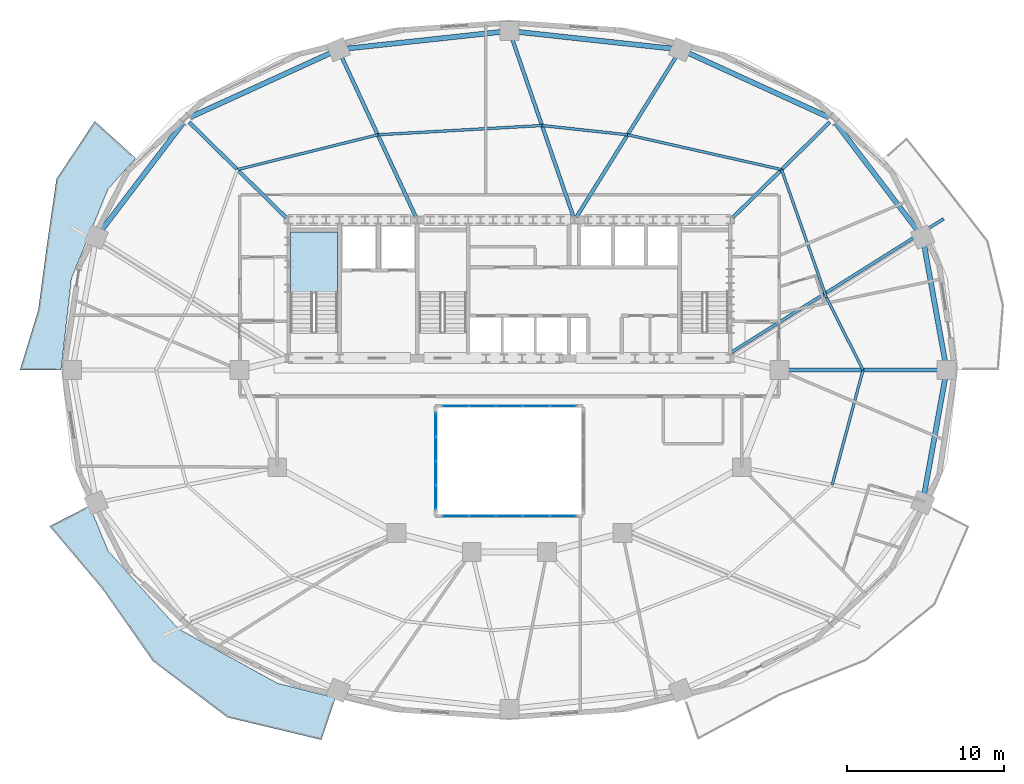
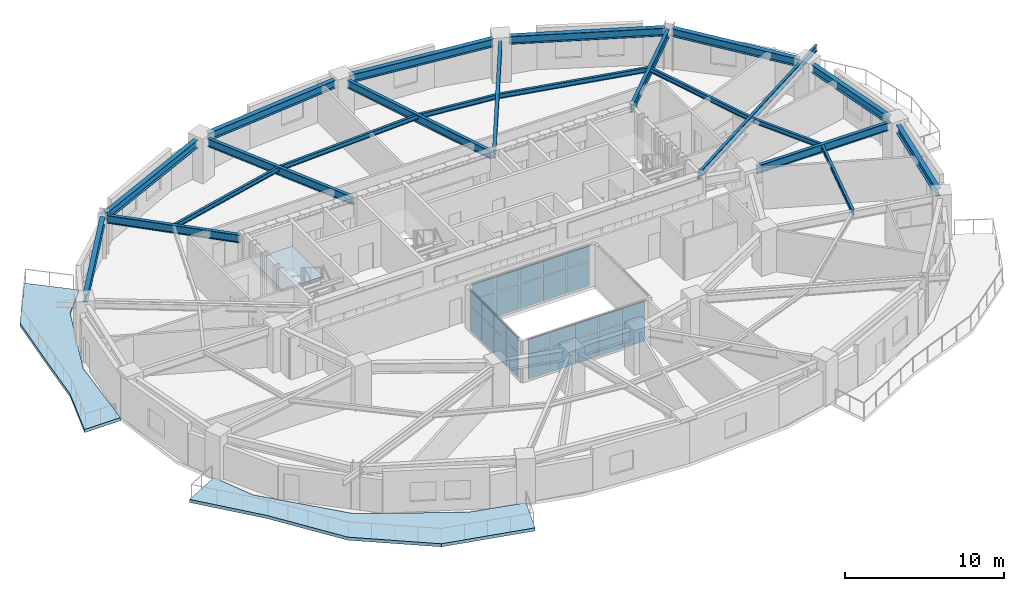
# One storey, part 5 of 12: 28 plates, 22 beams, 3 slabs, 4 elements without a shape of their own.
"""IFC4 building model written with IfcOpenShell, lengths in metres."""

from ifc_helpers import new_model, si_unit, direction, frame, origin, origin_2d, place, context, subcontext, project, spatial, polyline, rectangle, i_section, outline, extrude, material, layer, layer_set, material_profile, profile_set, type_object, element, aggregate, save


model = new_model("IFC4")

# Units and contexts
model_context = context("Model", 3, precision=1e-05, world=origin(), true_north=direction((0.0, 1.0)))
body_context = subcontext(model_context, "Body", "Model", "MODEL_VIEW")
ifc_project = project(units=[si_unit("LENGTHUNIT", "METRE"), si_unit("AREAUNIT", "SQUARE_METRE"), si_unit("VOLUMEUNIT", "CUBIC_METRE"), si_unit("PLANEANGLEUNIT", "RADIAN"), si_unit("MASSUNIT", "GRAM", prefix="KILO")], contexts=[model_context])

# Site, building, storey
site_placement = place(None, origin())
site = spatial("IfcSite", under=ifc_project, at=site_placement, CompositionType="ELEMENT")
building_placement = place(site_placement, origin())
building = spatial("IfcBuilding", under=site, at=building_placement, Name="Haldorwick Loom Tower", CompositionType="ELEMENT")
storey_placement = place(building_placement, frame((0.0, 0.0, 113.89990234375)))
storey = spatial("IfcBuildingStorey", under=building, at=storey_placement, Name="L30", CompositionType="ELEMENT", Elevation=113.89990234375)

# Beams
ifc_material_1 = material(Name="Steel CSA G40.21 350W", Category="steel")
ifc_material_profile_1 = material_profile(ifc_material_1, i_section(OverallWidth=0.193115234375, OverallDepth=0.466064453125, WebThickness=0.011474609375, FlangeThickness=0.01904296875, at=origin_2d()), Name="W460X97", Category="steel")
ifc_profile_set_1 = profile_set([ifc_material_profile_1], Name="Steel CSA G40.21 350W")
beam_type_1 = type_object("IfcBeamType", Name="STR-BM-BAL460", PredefinedType="BEAM", material=ifc_profile_set_1)
beam_1_placement = place(storey_placement, frame((50.111572265625, 27.106689453125, 2.97705078125), z_axis=(0.846609845451, 0.532214026108, 0.0), x_axis=(-0.532214026108, 0.846609845451, 0.0)))
element("IfcBeam", 1, at=beam_1_placement, inside=storey, type_object=beam_type_1, Name="L30 Continuous Back-Spanned Balcony Beam 4", PredefinedType="BEAM", context=body_context, shape_type="SweptSolid", body=[
    extrude(i_section(OverallWidth=0.193115234375, OverallDepth=0.466064453125, WebThickness=0.011474609375, FlangeThickness=0.01904296875, at=origin_2d()), origin(), (0.0, 0.0, 1.0), 16.0068359375),
])
ifc_material_profile_2 = material_profile(ifc_material_1, i_section(OverallWidth=0.172119140625, OverallDepth=0.35791015625, WebThickness=0.0078125, FlangeThickness=0.01318359375, at=origin_2d()), Name="W360X57", Category="steel")
ifc_profile_set_2 = profile_set([ifc_material_profile_2], Name="Steel CSA G40.21 350W")
beam_type_2 = type_object("IfcBeamType", Name="STR-BM-J360", PredefinedType="JOIST", material=ifc_profile_set_2)
beam_2_placement = place(storey_placement, frame((58.52880859375, 26.0, 3.031005859375), z_axis=(-0.451373231558, 0.892335254169, 0.0), x_axis=(-0.892335254169, -0.451373231558, 0.0)))
element("IfcBeam", 2, at=beam_2_placement, inside=storey, type_object=beam_type_2, Name="L30 Mid-Bay Secondary Joist 1", PredefinedType="JOIST", context=body_context, shape_type="SweptSolid", body=[
    extrude(i_section(OverallWidth=0.172119140625, OverallDepth=0.35791015625, WebThickness=0.0078125, FlangeThickness=0.01318359375, at=origin_2d()), origin(), (0.0, 0.0, 1.0), 5.158935546875),
])
beam_3_placement = place(storey_placement, frame((56.2001953125, 30.603515625, 3.031005859375), z_axis=(-0.330864603503, 0.943678236556, 0.0), x_axis=(-0.943678236556, -0.330864603503, 0.0)))
element("IfcBeam", 3, at=beam_3_placement, inside=storey, type_object=beam_type_2, Name="L30 Mid-Bay Secondary Joist 2", PredefinedType="JOIST", context=body_context, shape_type="SweptSolid", body=[
    extrude(i_section(OverallWidth=0.172119140625, OverallDepth=0.35791015625, WebThickness=0.0078125, FlangeThickness=0.01318359375, at=origin_2d()), origin(), (0.0, 0.0, 1.0), 8.6494140625),
])
beam_4_placement = place(storey_placement, frame((53.33837890625, 38.765869140625, 3.031005859375), z_axis=(-0.975380231772, 0.22052982444, 0.0), x_axis=(-0.22052982444, -0.975380231772, 0.0)))
element("IfcBeam", 4, at=beam_4_placement, inside=storey, type_object=beam_type_2, Name="L30 Mid-Bay Secondary Joist 3", PredefinedType="JOIST", context=body_context, shape_type="SweptSolid", body=[
    extrude(i_section(OverallWidth=0.172119140625, OverallDepth=0.35791015625, WebThickness=0.0078125, FlangeThickness=0.01318359375, at=origin_2d()), origin(), (0.0, 0.0, 1.0), 10.0576171875),
])
beam_5_placement = place(storey_placement, frame((43.5283203125, 40.98388671875, 3.031005859375), z_axis=(-0.994191869342, 0.107622148904, 0.0), x_axis=(-0.107622148904, -0.994191869342, 0.0)))
element("IfcBeam", 5, at=beam_5_placement, inside=storey, type_object=beam_type_2, Name="L30 Mid-Bay Secondary Joist 4", PredefinedType="JOIST", context=body_context, shape_type="SweptSolid", body=[
    extrude(i_section(OverallWidth=0.172119140625, OverallDepth=0.35791015625, WebThickness=0.0078125, FlangeThickness=0.01318359375, at=origin_2d()), origin(), (0.0, 0.0, 1.0), 5.485107421875),
])
beam_6_placement = place(storey_placement, frame((38.074951171875, 41.57421875, 3.031005859375), z_axis=(-0.998412171013, -0.056330602457, 0.0), x_axis=(0.056330602457, -0.998412171013, 0.0)))
element("IfcBeam", 6, at=beam_6_placement, inside=storey, type_object=beam_type_2, Name="L30 Mid-Bay Secondary Joist 5", PredefinedType="JOIST", context=body_context, shape_type="SweptSolid", body=[
    extrude(i_section(OverallWidth=0.172119140625, OverallDepth=0.35791015625, WebThickness=0.0078125, FlangeThickness=0.01318359375, at=origin_2d()), origin(), (0.0, 0.0, 1.0), 10.479736328125),
])
beam_7_placement = place(storey_placement, frame((27.61181640625, 40.98388671875, 3.031005859375), z_axis=(-0.970638838364, -0.240541567009, 0.0), x_axis=(0.240541567009, -0.970638838364, 0.0)))
element("IfcBeam", 7, at=beam_7_placement, inside=storey, type_object=beam_type_2, Name="L30 Mid-Bay Secondary Joist 6", PredefinedType="JOIST", context=body_context, shape_type="SweptSolid", body=[
    extrude(i_section(OverallWidth=0.172119140625, OverallDepth=0.35791015625, WebThickness=0.0078125, FlangeThickness=0.01318359375, at=origin_2d()), origin(), (0.0, 0.0, 1.0), 9.220947265625),
])
beam_8_placement = place(storey_placement, frame((56.565185546875, 18.67138671875, 3.031005859375), z_axis=(0.258810072536, 0.965928230436, 0.0), x_axis=(-0.965928230436, 0.258810072536, 0.0)))
element("IfcBeam", 8, at=beam_8_placement, inside=storey, type_object=beam_type_2, Name="L30 Mid-Bay Secondary Joist 16", PredefinedType="JOIST", context=body_context, shape_type="SweptSolid", body=[
    extrude(i_section(OverallWidth=0.172119140625, OverallDepth=0.35791015625, WebThickness=0.0078125, FlangeThickness=0.01318359375, at=origin_2d()), origin(), (0.0, 0.0, 1.0), 7.587158203125),
])
ifc_material_profile_3 = material_profile(ifc_material_1, i_section(OverallWidth=0.324951171875, OverallDepth=0.615966796875, WebThickness=0.013916015625, FlangeThickness=0.021484375, at=origin_2d()), Name="W610X174", Category="steel")
ifc_profile_set_3 = profile_set([ifc_material_profile_3], Name="Steel CSA G40.21 350W")
beam_type_3 = type_object("IfcBeamType", Name="STR-BM-SP610", PredefinedType="SPANDREL", material=ifc_profile_set_3)
beam_9_placement = place(storey_placement, frame((63.76513671875, 26.51171875, 2.902099609375), z_axis=(-0.177659490888, 0.984092020747, 0.0), x_axis=(-0.984092020747, -0.177659490888, 0.0)))
element("IfcBeam", 9, at=beam_9_placement, inside=storey, type_object=beam_type_3, Name="L30 Perimeter Spandrel 1", PredefinedType="SPANDREL", context=body_context, shape_type="SweptSolid", body=[
    extrude(i_section(OverallWidth=0.324951171875, OverallDepth=0.615966796875, WebThickness=0.013916015625, FlangeThickness=0.021484375, at=origin_2d()), origin(), (0.0, 0.0, 1.0), 7.553955078125),
])
beam_10_placement = place(storey_placement, frame((62.015869140625, 34.87109375, 2.902099609375), z_axis=(-0.605453508047, 0.795880675475, 0.0), x_axis=(-0.795880675475, -0.605453508047, 0.0)))
element("IfcBeam", 10, at=beam_10_placement, inside=storey, type_object=beam_type_3, Name="L30 Perimeter Spandrel 2", PredefinedType="SPANDREL", context=body_context, shape_type="SweptSolid", body=[
    extrude(i_section(OverallWidth=0.324951171875, OverallDepth=0.615966796875, WebThickness=0.013916015625, FlangeThickness=0.021484375, at=origin_2d()), origin(), (0.0, 0.0, 1.0), 8.6591796875),
])
beam_11_placement = place(storey_placement, frame((56.356689453125, 42.09619140625, 2.902099609375), z_axis=(-0.909423969306, 0.415870225011, 0.0), x_axis=(-0.415870225011, -0.909423969306, 0.0)))
element("IfcBeam", 11, at=beam_11_placement, inside=storey, type_object=beam_type_3, Name="L30 Perimeter Spandrel 3", PredefinedType="SPANDREL", context=body_context, shape_type="SweptSolid", body=[
    extrude(i_section(OverallWidth=0.324951171875, OverallDepth=0.615966796875, WebThickness=0.013916015625, FlangeThickness=0.021484375, at=origin_2d()), origin(), (0.0, 0.0, 1.0), 9.871337890625),
])
for number, where, z_axis, x_axis, name in (
    (12, (46.389404296875, 46.4736328125, 2.902099609375), (-0.994190135627, 0.107638163409, 0.0), (-0.107638163409, -0.994190135627, 0.0), "L30 Perimeter Spandrel 4"),
    (13, (35.48291015625, 47.54248046875, 2.902099609375), (-0.994190135627, -0.107638163409, 0.0), (0.107638163409, -0.994190135627, 0.0), "L30 Perimeter Spandrel 5"),
):
    element("IfcBeam", number, at=place(storey_placement, frame(where, z_axis=z_axis, x_axis=x_axis)), inside=storey, type_object=beam_type_3, Name=name, PredefinedType="SPANDREL", context=body_context, shape_type="SweptSolid", body=[
        extrude(i_section(OverallWidth=0.324951171875, OverallDepth=0.615966796875, WebThickness=0.013916015625, FlangeThickness=0.021484375, at=origin_2d()), origin(), (0.0, 0.0, 1.0), 9.929931640625),
    ])
beam_12_placement = place(storey_placement, frame((24.62060546875, 46.201416015625, 2.902099609375), z_axis=(-0.909423969306, -0.415870225011, 0.0), x_axis=(0.415870225011, -0.909423969306, 0.0)))
element("IfcBeam", 14, at=beam_12_placement, inside=storey, type_object=beam_type_3, Name="L30 Perimeter Spandrel 6", PredefinedType="SPANDREL", context=body_context, shape_type="SweptSolid", body=[
    extrude(i_section(OverallWidth=0.324951171875, OverallDepth=0.615966796875, WebThickness=0.013916015625, FlangeThickness=0.021484375, at=origin_2d()), origin(), (0.0, 0.0, 1.0), 9.871337890625),
])
beam_13_placement = place(storey_placement, frame((15.226806640625, 41.7626953125, 2.902099609375), z_axis=(-0.605453508047, -0.795880675475, 0.0), x_axis=(0.795880675475, -0.605453508047, 0.0)))
element("IfcBeam", 15, at=beam_13_placement, inside=storey, type_object=beam_type_3, Name="L30 Perimeter Spandrel 7", PredefinedType="SPANDREL", context=body_context, shape_type="SweptSolid", body=[
    extrude(i_section(OverallWidth=0.324951171875, OverallDepth=0.615966796875, WebThickness=0.013916015625, FlangeThickness=0.021484375, at=origin_2d()), origin(), (0.0, 0.0, 1.0), 8.6591796875),
])
beam_14_placement = place(storey_placement, frame((62.423095703125, 18.054443359375, 2.902099609375), z_axis=(0.177659490888, 0.984092020747, 0.0), x_axis=(-0.984092020747, 0.177659490888, 0.0)))
element("IfcBeam", 16, at=beam_14_placement, inside=storey, type_object=beam_type_3, Name="L30 Perimeter Spandrel 16", PredefinedType="SPANDREL", context=body_context, shape_type="SweptSolid", body=[
    extrude(i_section(OverallWidth=0.324951171875, OverallDepth=0.615966796875, WebThickness=0.013916015625, FlangeThickness=0.021484375, at=origin_2d()), origin(), (0.0, 0.0, 1.0), 7.553955078125),
])
ifc_material_profile_4 = material_profile(ifc_material_1, i_section(OverallWidth=0.22998046875, OverallDepth=0.616943359375, WebThickness=0.01318359375, FlangeThickness=0.022216796875, at=origin_2d()), Name="W610X140", Category="steel")
ifc_profile_set_4 = profile_set([ifc_material_profile_4], Name="Steel CSA G40.21 350W")
beam_type_4 = type_object("IfcBeamType", Name="STR-BM-W610B", PredefinedType="BEAM", material=ifc_profile_set_4)
beam_15_placement = place(storey_placement, frame((53.719970703125, 26.0, 2.901611328125), z_axis=(1.0, 0.0, 0.0), x_axis=(0.0, 1.0, 0.0)))
element("IfcBeam", 17, at=beam_15_placement, inside=storey, type_object=beam_type_4, Name="L30 Radial Floor Girder 1", PredefinedType="BEAM", context=body_context, shape_type="SweptSolid", body=[
    extrude(i_section(OverallWidth=0.22998046875, OverallDepth=0.616943359375, WebThickness=0.01318359375, FlangeThickness=0.022216796875, at=origin_2d()), origin(), (0.0, 0.0, 1.0), 9.61767578125),
])
beam_16_placement = place(storey_placement, frame((50.23046875, 35.707763671875, 2.901611328125), z_axis=(0.712813667541, 0.701353459653, 0.0), x_axis=(-0.701353459653, 0.712813667541, 0.0)))
element("IfcBeam", 18, at=beam_16_placement, inside=storey, type_object=beam_type_4, Name="L30 Radial Floor Girder 3", PredefinedType="BEAM", context=body_context, shape_type="SweptSolid", body=[
    extrude(i_section(OverallWidth=0.22998046875, OverallDepth=0.616943359375, WebThickness=0.01318359375, FlangeThickness=0.022216796875, at=origin_2d()), origin(), (0.0, 0.0, 1.0), 8.67041015625),
])
beam_17_placement = place(storey_placement, frame((40.268798828125, 35.7412109375, 2.901611328125), z_axis=(0.527983484361, 0.849254638046, 0.0), x_axis=(-0.849254638046, 0.527983484361, 0.0)))
element("IfcBeam", 19, at=beam_17_placement, inside=storey, type_object=beam_type_4, Name="L30 Radial Floor Girder 4", PredefinedType="BEAM", context=body_context, shape_type="SweptSolid", body=[
    extrude(i_section(OverallWidth=0.22998046875, OverallDepth=0.616943359375, WebThickness=0.01318359375, FlangeThickness=0.022216796875, at=origin_2d()), origin(), (0.0, 0.0, 1.0), 12.051513671875),
])
beam_18_placement = place(storey_placement, frame((40.07666015625, 35.7626953125, 2.901611328125), z_axis=(-0.325673980289, 0.945482130218, 0.0), x_axis=(-0.945482130218, -0.325673980289, 0.0)))
element("IfcBeam", 20, at=beam_18_placement, inside=storey, type_object=beam_type_4, Name="L30 Radial Floor Girder 5", PredefinedType="BEAM", context=body_context, shape_type="SweptSolid", body=[
    extrude(i_section(OverallWidth=0.22998046875, OverallDepth=0.616943359375, WebThickness=0.01318359375, FlangeThickness=0.022216796875, at=origin_2d()), origin(), (0.0, 0.0, 1.0), 11.998046875),
])
beam_19_placement = place(storey_placement, frame((30.035400390625, 35.754150390625, 2.901611328125), z_axis=(-0.420492432459, 0.907296045536, 0.0), x_axis=(-0.907296045536, -0.420492432459, 0.0)))
element("IfcBeam", 21, at=beam_19_placement, inside=storey, type_object=beam_type_4, Name="L30 Radial Floor Girder 6", PredefinedType="BEAM", context=body_context, shape_type="SweptSolid", body=[
    extrude(i_section(OverallWidth=0.22998046875, OverallDepth=0.616943359375, WebThickness=0.01318359375, FlangeThickness=0.022216796875, at=origin_2d()), origin(), (0.0, 0.0, 1.0), 11.23291015625),
])
beam_20_placement = place(storey_placement, frame((21.76953125, 35.707763671875, 2.901611328125), z_axis=(-0.712813667541, 0.701353459653, 0.0), x_axis=(-0.701353459653, -0.712813667541, 0.0)))
element("IfcBeam", 22, at=beam_20_placement, inside=storey, type_object=beam_type_4, Name="L30 Radial Floor Girder 7", PredefinedType="BEAM", context=body_context, shape_type="SweptSolid", body=[
    extrude(i_section(OverallWidth=0.22998046875, OverallDepth=0.616943359375, WebThickness=0.01318359375, FlangeThickness=0.022216796875, at=origin_2d()), origin(), (0.0, 0.0, 1.0), 8.67041015625),
])

# Curtain wall, plates
ifc_material_2 = material(Name="Thermally Broken Anodized Aluminium Curtain Wall Framing", Category="aluminium")
curtain_wall_type = type_object("IfcCurtainWallType", Name="ARC-CW-03", PredefinedType="NOTDEFINED", material=ifc_material_2)
curtain_wall_1_placement = place(storey_placement, origin())
curtain_wall_1 = element("IfcCurtainWall", 23, at=curtain_wall_1_placement, inside=storey, type_object=curtain_wall_type, Name="L30 Atrium Glazed Screen S", PredefinedType="NOTDEFINED")
ifc_material_3 = material(Name="Triple-Glazed Low-E Argon Insulated Glazing Unit", Category="glass")
ifc_layer_1 = layer(ifc_material_3, 0.04296875, Name="Triple-Glazed Low-E Argon Insulated Glazing Unit", Category="glass")
ifc_layer_set_1 = layer_set([ifc_layer_1], Name="Triple-Glazed Low-E Argon Insulated Glazing Unit")
plate_type = type_object("IfcPlateType", Name="ARC-CWP-03", PredefinedType="CURTAIN_PANEL", material=ifc_layer_set_1)
plate_1_placement = place(storey_placement, frame((39.423583984375, 16.699951171875, 0.066162109375), z_axis=(0.0, 0.0, 1.0), x_axis=(-1.0, 0.0, 0.0)))
plate_1 = element("IfcPlate", 24, at=plate_1_placement, type_object=plate_type, Name="CW-03 panel 1.1", PredefinedType="CURTAIN_PANEL", context=body_context, shape_type="SweptSolid", body=[
    extrude(rectangle(XDim=1.62109375, YDim=0.04296875, at=origin_2d()), origin(), (0.0, 0.0, 1.0), 1.90087890625),
])
plate_2_placement = place(storey_placement, frame((39.423583984375, 16.699951171875, 2.033203125), z_axis=(0.0, 0.0, 1.0), x_axis=(-1.0, 0.0, 0.0)))
plate_2 = element("IfcPlate", 25, at=plate_2_placement, type_object=plate_type, Name="CW-03 panel 1.2", PredefinedType="CURTAIN_PANEL", context=body_context, shape_type="SweptSolid", body=[
    extrude(rectangle(XDim=1.62109375, YDim=0.04296875, at=origin_2d()), origin(), (0.0, 0.0, 1.0), 1.111083984375),
])
plate_3_placement = place(storey_placement, frame((37.719970703125, 16.699951171875, 0.066162109375), z_axis=(0.0, 0.0, 1.0), x_axis=(-1.0, 0.0, 0.0)))
plate_3 = element("IfcPlate", 26, at=plate_3_placement, type_object=plate_type, Name="CW-03 panel 2.1", PredefinedType="CURTAIN_PANEL", context=body_context, shape_type="SweptSolid", body=[
    extrude(rectangle(XDim=1.654052734375, YDim=0.04296875, at=origin_2d()), origin(), (0.0, 0.0, 1.0), 1.90087890625),
])
plate_4_placement = place(storey_placement, frame((37.719970703125, 16.699951171875, 2.033203125), z_axis=(0.0, 0.0, 1.0), x_axis=(-1.0, 0.0, 0.0)))
plate_4 = element("IfcPlate", 27, at=plate_4_placement, type_object=plate_type, Name="CW-03 panel 2.2", PredefinedType="CURTAIN_PANEL", context=body_context, shape_type="SweptSolid", body=[
    extrude(rectangle(XDim=1.654052734375, YDim=0.04296875, at=origin_2d()), origin(), (0.0, 0.0, 1.0), 1.111083984375),
])
plate_5_placement = place(storey_placement, frame((36.0, 16.699951171875, 0.066162109375), z_axis=(0.0, 0.0, 1.0), x_axis=(-1.0, 0.0, 0.0)))
plate_5 = element("IfcPlate", 28, at=plate_5_placement, type_object=plate_type, Name="CW-03 panel 3.1", PredefinedType="CURTAIN_PANEL", context=body_context, shape_type="SweptSolid", body=[
    extrude(rectangle(XDim=1.654052734375, YDim=0.04296875, at=origin_2d()), origin(), (0.0, 0.0, 1.0), 1.90087890625),
])
plate_6_placement = place(storey_placement, frame((36.0, 16.699951171875, 2.033203125), z_axis=(0.0, 0.0, 1.0), x_axis=(-1.0, 0.0, 0.0)))
plate_6 = element("IfcPlate", 29, at=plate_6_placement, type_object=plate_type, Name="CW-03 panel 3.2", PredefinedType="CURTAIN_PANEL", context=body_context, shape_type="SweptSolid", body=[
    extrude(rectangle(XDim=1.654052734375, YDim=0.04296875, at=origin_2d()), origin(), (0.0, 0.0, 1.0), 1.111083984375),
])
plate_7_placement = place(storey_placement, frame((34.280029296875, 16.699951171875, 0.066162109375), z_axis=(0.0, 0.0, 1.0), x_axis=(-1.0, 0.0, 0.0)))
plate_7 = element("IfcPlate", 30, at=plate_7_placement, type_object=plate_type, Name="CW-03 panel 4.1", PredefinedType="CURTAIN_PANEL", context=body_context, shape_type="SweptSolid", body=[
    extrude(rectangle(XDim=1.654052734375, YDim=0.04296875, at=origin_2d()), origin(), (0.0, 0.0, 1.0), 1.90087890625),
])
plate_8_placement = place(storey_placement, frame((34.280029296875, 16.699951171875, 2.033203125), z_axis=(0.0, 0.0, 1.0), x_axis=(-1.0, 0.0, 0.0)))
plate_8 = element("IfcPlate", 31, at=plate_8_placement, type_object=plate_type, Name="CW-03 panel 4.2", PredefinedType="CURTAIN_PANEL", context=body_context, shape_type="SweptSolid", body=[
    extrude(rectangle(XDim=1.654052734375, YDim=0.04296875, at=origin_2d()), origin(), (0.0, 0.0, 1.0), 1.111083984375),
])
plate_9_placement = place(storey_placement, frame((32.576416015625, 16.699951171875, 0.066162109375), z_axis=(0.0, 0.0, 1.0), x_axis=(-1.0, 0.0, 0.0)))
plate_9 = element("IfcPlate", 32, at=plate_9_placement, type_object=plate_type, Name="CW-03 panel 5.1", PredefinedType="CURTAIN_PANEL", context=body_context, shape_type="SweptSolid", body=[
    extrude(rectangle(XDim=1.62109375, YDim=0.04296875, at=origin_2d()), origin(), (0.0, 0.0, 1.0), 1.90087890625),
])
plate_10_placement = place(storey_placement, frame((32.576416015625, 16.699951171875, 2.033203125), z_axis=(0.0, 0.0, 1.0), x_axis=(-1.0, 0.0, 0.0)))
plate_10 = element("IfcPlate", 33, at=plate_10_placement, type_object=plate_type, Name="CW-03 panel 5.2", PredefinedType="CURTAIN_PANEL", context=body_context, shape_type="SweptSolid", body=[
    extrude(rectangle(XDim=1.62109375, YDim=0.04296875, at=origin_2d()), origin(), (0.0, 0.0, 1.0), 1.111083984375),
])
aggregate(curtain_wall_1, [plate_1, plate_2, plate_3, plate_4, plate_5, plate_6, plate_7, plate_8, plate_9, plate_10])

curtain_wall_2_placement = place(storey_placement, origin())
curtain_wall_2 = element("IfcCurtainWall", 34, at=curtain_wall_2_placement, inside=storey, type_object=curtain_wall_type, Name="L30 Atrium Glazed Screen N", PredefinedType="NOTDEFINED")
plate_11_placement = place(storey_placement, frame((32.576416015625, 23.699951171875, 0.066162109375), z_axis=(0.0, 0.0, 1.0), x_axis=(1.0, 0.0, 0.0)))
plate_11 = element("IfcPlate", 35, at=plate_11_placement, type_object=plate_type, Name="CW-03 panel 1.1", PredefinedType="CURTAIN_PANEL", context=body_context, shape_type="SweptSolid", body=[
    extrude(rectangle(XDim=1.62109375, YDim=0.04296875, at=origin_2d()), origin(), (0.0, 0.0, 1.0), 1.90087890625),
])
plate_12_placement = place(storey_placement, frame((32.576416015625, 23.699951171875, 2.033203125), z_axis=(0.0, 0.0, 1.0), x_axis=(1.0, 0.0, 0.0)))
plate_12 = element("IfcPlate", 36, at=plate_12_placement, type_object=plate_type, Name="CW-03 panel 1.2", PredefinedType="CURTAIN_PANEL", context=body_context, shape_type="SweptSolid", body=[
    extrude(rectangle(XDim=1.62109375, YDim=0.04296875, at=origin_2d()), origin(), (0.0, 0.0, 1.0), 1.111083984375),
])
plate_13_placement = place(storey_placement, frame((34.280029296875, 23.699951171875, 0.066162109375), z_axis=(0.0, 0.0, 1.0), x_axis=(1.0, 0.0, 0.0)))
plate_13 = element("IfcPlate", 37, at=plate_13_placement, type_object=plate_type, Name="CW-03 panel 2.1", PredefinedType="CURTAIN_PANEL", context=body_context, shape_type="SweptSolid", body=[
    extrude(rectangle(XDim=1.654052734375, YDim=0.04296875, at=origin_2d()), origin(), (0.0, 0.0, 1.0), 1.90087890625),
])
plate_14_placement = place(storey_placement, frame((34.280029296875, 23.699951171875, 2.033203125), z_axis=(0.0, 0.0, 1.0), x_axis=(1.0, 0.0, 0.0)))
plate_14 = element("IfcPlate", 38, at=plate_14_placement, type_object=plate_type, Name="CW-03 panel 2.2", PredefinedType="CURTAIN_PANEL", context=body_context, shape_type="SweptSolid", body=[
    extrude(rectangle(XDim=1.654052734375, YDim=0.04296875, at=origin_2d()), origin(), (0.0, 0.0, 1.0), 1.111083984375),
])
plate_15_placement = place(storey_placement, frame((36.0, 23.699951171875, 0.066162109375), z_axis=(0.0, 0.0, 1.0), x_axis=(1.0, 0.0, 0.0)))
plate_15 = element("IfcPlate", 39, at=plate_15_placement, type_object=plate_type, Name="CW-03 panel 3.1", PredefinedType="CURTAIN_PANEL", context=body_context, shape_type="SweptSolid", body=[
    extrude(rectangle(XDim=1.654052734375, YDim=0.04296875, at=origin_2d()), origin(), (0.0, 0.0, 1.0), 1.90087890625),
])
plate_16_placement = place(storey_placement, frame((36.0, 23.699951171875, 2.033203125), z_axis=(0.0, 0.0, 1.0), x_axis=(1.0, 0.0, 0.0)))
plate_16 = element("IfcPlate", 40, at=plate_16_placement, type_object=plate_type, Name="CW-03 panel 3.2", PredefinedType="CURTAIN_PANEL", context=body_context, shape_type="SweptSolid", body=[
    extrude(rectangle(XDim=1.654052734375, YDim=0.04296875, at=origin_2d()), origin(), (0.0, 0.0, 1.0), 1.111083984375),
])
plate_17_placement = place(storey_placement, frame((37.719970703125, 23.699951171875, 0.066162109375), z_axis=(0.0, 0.0, 1.0), x_axis=(1.0, 0.0, 0.0)))
plate_17 = element("IfcPlate", 41, at=plate_17_placement, type_object=plate_type, Name="CW-03 panel 4.1", PredefinedType="CURTAIN_PANEL", context=body_context, shape_type="SweptSolid", body=[
    extrude(rectangle(XDim=1.654052734375, YDim=0.04296875, at=origin_2d()), origin(), (0.0, 0.0, 1.0), 1.90087890625),
])
plate_18_placement = place(storey_placement, frame((37.719970703125, 23.699951171875, 2.033203125), z_axis=(0.0, 0.0, 1.0), x_axis=(1.0, 0.0, 0.0)))
plate_18 = element("IfcPlate", 42, at=plate_18_placement, type_object=plate_type, Name="CW-03 panel 4.2", PredefinedType="CURTAIN_PANEL", context=body_context, shape_type="SweptSolid", body=[
    extrude(rectangle(XDim=1.654052734375, YDim=0.04296875, at=origin_2d()), origin(), (0.0, 0.0, 1.0), 1.111083984375),
])
plate_19_placement = place(storey_placement, frame((39.423583984375, 23.699951171875, 0.066162109375), z_axis=(0.0, 0.0, 1.0), x_axis=(1.0, 0.0, 0.0)))
plate_19 = element("IfcPlate", 43, at=plate_19_placement, type_object=plate_type, Name="CW-03 panel 5.1", PredefinedType="CURTAIN_PANEL", context=body_context, shape_type="SweptSolid", body=[
    extrude(rectangle(XDim=1.62109375, YDim=0.04296875, at=origin_2d()), origin(), (0.0, 0.0, 1.0), 1.90087890625),
])
plate_20_placement = place(storey_placement, frame((39.423583984375, 23.699951171875, 2.033203125), z_axis=(0.0, 0.0, 1.0), x_axis=(1.0, 0.0, 0.0)))
plate_20 = element("IfcPlate", 44, at=plate_20_placement, type_object=plate_type, Name="CW-03 panel 5.2", PredefinedType="CURTAIN_PANEL", context=body_context, shape_type="SweptSolid", body=[
    extrude(rectangle(XDim=1.62109375, YDim=0.04296875, at=origin_2d()), origin(), (0.0, 0.0, 1.0), 1.111083984375),
])
aggregate(curtain_wall_2, [plate_11, plate_12, plate_13, plate_14, plate_15, plate_16, plate_17, plate_18, plate_19, plate_20])

curtain_wall_3_placement = place(storey_placement, origin())
curtain_wall_3 = element("IfcCurtainWall", 45, at=curtain_wall_3_placement, inside=storey, type_object=curtain_wall_type, Name="L30 Atrium Glazed Screen W", PredefinedType="NOTDEFINED")
plate_21_placement = place(storey_placement, frame((31.300048828125, 17.8916015625, 0.066162109375), z_axis=(0.0, 0.0, 1.0), x_axis=(0.0, 1.0, 0.0)))
plate_21 = element("IfcPlate", 46, at=plate_21_placement, type_object=plate_type, Name="CW-03 panel 1.1", PredefinedType="CURTAIN_PANEL", context=body_context, shape_type="SweptSolid", body=[
    extrude(rectangle(XDim=1.450927734375, YDim=0.04296875, at=origin_2d()), origin(), (0.0, 0.0, 1.0), 1.90087890625),
])
plate_22_placement = place(storey_placement, frame((31.300048828125, 17.8916015625, 2.033203125), z_axis=(0.0, 0.0, 1.0), x_axis=(0.0, 1.0, 0.0)))
plate_22 = element("IfcPlate", 47, at=plate_22_placement, type_object=plate_type, Name="CW-03 panel 1.2", PredefinedType="CURTAIN_PANEL", context=body_context, shape_type="SweptSolid", body=[
    extrude(rectangle(XDim=1.450927734375, YDim=0.04296875, at=origin_2d()), origin(), (0.0, 0.0, 1.0), 1.111083984375),
])
plate_23_placement = place(storey_placement, frame((31.300048828125, 19.425048828125, 0.066162109375), z_axis=(0.0, 0.0, 1.0), x_axis=(0.0, 1.0, 0.0)))
plate_23 = element("IfcPlate", 48, at=plate_23_placement, type_object=plate_type, Name="CW-03 panel 2.1", PredefinedType="CURTAIN_PANEL", context=body_context, shape_type="SweptSolid", body=[
    extrude(rectangle(XDim=1.48388671875, YDim=0.04296875, at=origin_2d()), origin(), (0.0, 0.0, 1.0), 1.90087890625),
])
plate_24_placement = place(storey_placement, frame((31.300048828125, 19.425048828125, 2.033203125), z_axis=(0.0, 0.0, 1.0), x_axis=(0.0, 1.0, 0.0)))
plate_24 = element("IfcPlate", 49, at=plate_24_placement, type_object=plate_type, Name="CW-03 panel 2.2", PredefinedType="CURTAIN_PANEL", context=body_context, shape_type="SweptSolid", body=[
    extrude(rectangle(XDim=1.48388671875, YDim=0.04296875, at=origin_2d()), origin(), (0.0, 0.0, 1.0), 1.111083984375),
])
plate_25_placement = place(storey_placement, frame((31.300048828125, 20.97509765625, 0.066162109375), z_axis=(0.0, 0.0, 1.0), x_axis=(0.0, 1.0, 0.0)))
plate_25 = element("IfcPlate", 50, at=plate_25_placement, type_object=plate_type, Name="CW-03 panel 3.1", PredefinedType="CURTAIN_PANEL", context=body_context, shape_type="SweptSolid", body=[
    extrude(rectangle(XDim=1.48388671875, YDim=0.04296875, at=origin_2d()), origin(), (0.0, 0.0, 1.0), 1.90087890625),
])
plate_26_placement = place(storey_placement, frame((31.300048828125, 20.97509765625, 2.033203125), z_axis=(0.0, 0.0, 1.0), x_axis=(0.0, 1.0, 0.0)))
plate_26 = element("IfcPlate", 51, at=plate_26_placement, type_object=plate_type, Name="CW-03 panel 3.2", PredefinedType="CURTAIN_PANEL", context=body_context, shape_type="SweptSolid", body=[
    extrude(rectangle(XDim=1.48388671875, YDim=0.04296875, at=origin_2d()), origin(), (0.0, 0.0, 1.0), 1.111083984375),
])
plate_27_placement = place(storey_placement, frame((31.300048828125, 22.508544921875, 0.066162109375), z_axis=(0.0, 0.0, 1.0), x_axis=(0.0, 1.0, 0.0)))
plate_27 = element("IfcPlate", 52, at=plate_27_placement, type_object=plate_type, Name="CW-03 panel 4.1", PredefinedType="CURTAIN_PANEL", context=body_context, shape_type="SweptSolid", body=[
    extrude(rectangle(XDim=1.450927734375, YDim=0.04296875, at=origin_2d()), origin(), (0.0, 0.0, 1.0), 1.90087890625),
])
plate_28_placement = place(storey_placement, frame((31.300048828125, 22.508544921875, 2.033203125), z_axis=(0.0, 0.0, 1.0), x_axis=(0.0, 1.0, 0.0)))
plate_28 = element("IfcPlate", 53, at=plate_28_placement, type_object=plate_type, Name="CW-03 panel 4.2", PredefinedType="CURTAIN_PANEL", context=body_context, shape_type="SweptSolid", body=[
    extrude(rectangle(XDim=1.450927734375, YDim=0.04296875, at=origin_2d()), origin(), (0.0, 0.0, 1.0), 1.111083984375),
])
aggregate(curtain_wall_3, [plate_21, plate_22, plate_23, plate_24, plate_25, plate_26, plate_27, plate_28])

# Slabs
ifc_material_4 = material(Name="Concrete C40 (40 MPa)", Category="concrete")
ifc_layer_2 = layer(ifc_material_4, 0.239990234375, Name="Concrete C40 (40 MPa)", Category="concrete")
ifc_layer_set_2 = layer_set([ifc_layer_2], Name="Concrete C40 (40 MPa)")
slab_type_1 = type_object("IfcSlabType", Name="STR-SLB-BAL240", PredefinedType="FLOOR", material=ifc_layer_set_2)
slab_1_placement = place(storey_placement, frame((0.0, 0.0, -0.239990234375)))
element("IfcSlab", 54, at=slab_1_placement, inside=storey, type_object=slab_type_1, Name="L30 Sinusoidal Balcony Terrace BAL_SW", PredefinedType="FLOOR", context=body_context, shape_type="SweptSolid", body=[
    extrude(outline(polyline([(24.9130859375, 5.105224609375), (21.23583984375, 6.022705078125), (21.234619140625, 6.023193359375), (21.2333984375, 6.023681640625), (21.232177734375, 6.0244140625), (14.89111328125, 9.51025390625), (14.8896484375, 9.510986328125), (14.88818359375, 9.51220703125), (14.88720703125, 9.51318359375), (10.4228515625, 14.464599609375), (10.421875, 14.465576171875), (10.421142578125, 14.466552734375), (10.420654296875, 14.4677734375), (10.419921875, 14.468994140625), (9.241455078125, 17.348388671875), (6.699462890625, 16.042236328125), (10.06689453125, 12.043701171875), (13.279541015625, 7.4501953125), (18.021728515625, 3.8662109375), (24.016357421875, 2.43310546875), (24.9130859375, 5.105224609375)])), origin(), (0.0, 0.0, 1.0), 0.239990234375),
])
slab_2_placement = place(storey_placement, frame((0.0, 0.0, -0.239990234375)))
element("IfcSlab", 55, at=slab_2_placement, inside=storey, type_object=slab_type_1, Name="L30 Sinusoidal Balcony Terrace BAL_WNW", PredefinedType="FLOOR", context=body_context, shape_type="SweptSolid", body=[
    extrude(outline(polyline([(7.427490234375, 26.0), (7.427490234375, 26.001708984375), (8.09033203125, 31.837890625), (8.090576171875, 31.83935546875), (8.0908203125, 31.840576171875), (8.09130859375, 31.841796875), (10.419921875, 37.531005859375), (10.420654296875, 37.5322265625), (10.421142578125, 37.533447265625), (10.421875, 37.534423828125), (10.4228515625, 37.535400390625), (12.18701171875, 39.491943359375), (9.576904296875, 41.85400390625), (7.135498046875, 38.163818359375), (6.50537109375, 33.793701171875), (5.980712890625, 29.846435546875), (4.8125, 26.0), (7.427490234375, 26.0)])), origin(), (0.0, 0.0, 1.0), 0.239990234375),
])

# Stair, slab
stair_type = type_object("IfcStairType", Name="STR-STR-CORE", PredefinedType="HALF_TURN_STAIR", material=ifc_material_4)
stair_placement = place(storey_placement, origin())
stair = element("IfcStair", 56, at=stair_placement, inside=storey, type_object=stair_type, Name="L30 Exit Stair ST-01", PredefinedType="HALF_TURN_STAIR")
ifc_layer_3 = layer(ifc_material_4, 0.199951171875, Name="Concrete C40 (40 MPa)", Category="concrete")
ifc_layer_set_3 = layer_set([ifc_layer_3], Name="Concrete C40 (40 MPa)")
slab_type_2 = type_object("IfcSlabType", Name="STR-SLB-LAND200", PredefinedType="LANDING", material=ifc_layer_set_3)
slab_3_placement = place(storey_placement, frame((0.0, 0.0, 1.525146484375)))
slab_3 = element("IfcSlab", 57, at=slab_3_placement, type_object=slab_type_2, Name="ST-01 landing 1", PredefinedType="LANDING", context=body_context, shape_type="SweptSolid", body=[
    extrude(outline(polyline([(25.050048828125, 30.919921875), (25.050048828125, 34.800048828125), (22.050048828125, 34.800048828125), (22.050048828125, 30.919921875), (25.050048828125, 30.919921875)])), origin(), (0.0, 0.0, 1.0), 0.199951171875),
])
aggregate(stair, [slab_3])

save(model, "model.ifc")
